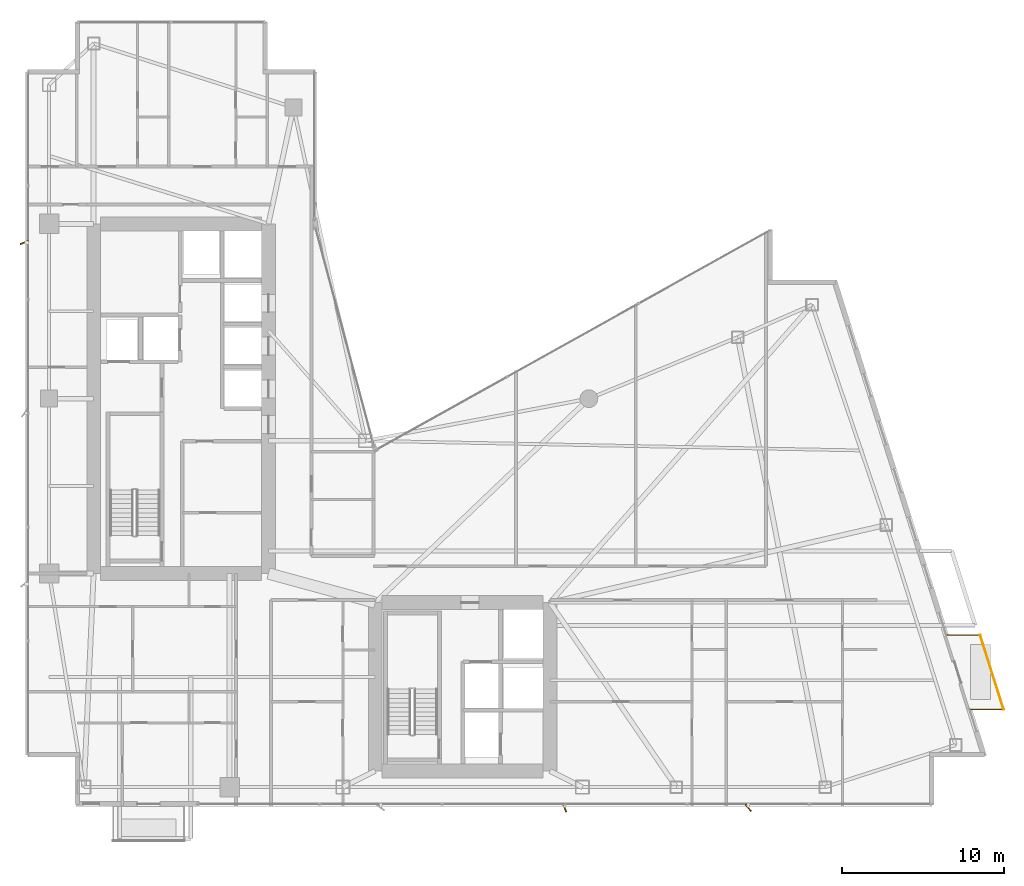
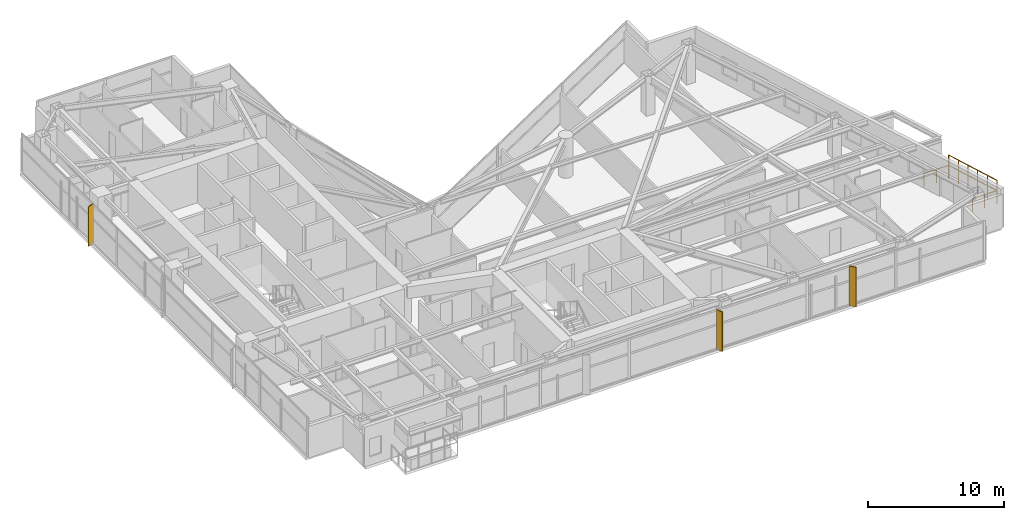
# One storey, part 28 of 28: 3 shading devices, 2 railings.
"""IFC4 building model written with IfcOpenShell, lengths in metres."""

from ifc_helpers import new_model, si_unit, direction, frame, origin, origin_2d, place, context, subcontext, project, spatial, rectangle, circle, extrude, material, type_object, element, save


model = new_model("IFC4")

# Units and contexts
model_context = context("Model", 3, precision=1e-05, world=origin(), true_north=direction((0.0, 1.0)))
body_context = subcontext(model_context, "Body", "Model", "MODEL_VIEW")
ifc_project = project(units=[si_unit("LENGTHUNIT", "METRE"), si_unit("AREAUNIT", "SQUARE_METRE"), si_unit("VOLUMEUNIT", "CUBIC_METRE"), si_unit("PLANEANGLEUNIT", "RADIAN"), si_unit("MASSUNIT", "GRAM", prefix="KILO")], contexts=[model_context])

# Site, building, storey
site_placement = place(None, origin())
site = spatial("IfcSite", under=ifc_project, at=site_placement, CompositionType="ELEMENT")
building_placement = place(site_placement, origin())
building = spatial("IfcBuilding", under=site, at=building_placement, Name="Calvorn Quay Hotel", CompositionType="ELEMENT")
storey_placement = place(building_placement, frame((0.0, 0.0, 101.199951171875)))
storey = spatial("IfcBuildingStorey", under=building, at=storey_placement, Name="L24", CompositionType="ELEMENT", Elevation=101.199951171875)

# Railings
ifc_material_1 = material(Name="Pale Anodised Aluminium and Laminated Glass", Category="aluminium")
railing_type = type_object("IfcRailingType", Name="RLG-BALUSTRADE-1200", PredefinedType="BALUSTRADE", material=ifc_material_1)
railing_1_placement = place(storey_placement, frame((58.327880859375, 8.39990234375, 0.0)))
element("IfcRailing", 1, at=railing_1_placement, inside=storey, type_object=railing_type, Name="Tree Balcony Perimeter Balustrade L24-BALC-E", PredefinedType="BALUSTRADE", context=body_context, shape_type="SweptSolid", body=[
    extrude(circle(Radius=0.02392578125, at=origin_2d()), frame((0.0, 0.0, 1.17578125), z_axis=(1.0, 0.0, 0.0), x_axis=(0.0, 1.0, 0.0)), (0.0, 0.0, 1.0), 2.10009765625),
    extrude(circle(Radius=0.02392578125, at=origin_2d()), frame((2.10009765625, 0.0, 1.17578125), z_axis=(-0.300620172346, 0.953743944662, 0.0), x_axis=(-0.953743944662, -0.300620172346, 0.0)), (0.0, 0.0, 1.0), 4.8232421875),
    extrude(circle(Radius=0.02392578125, at=origin_2d()), frame((0.650146484375, 4.60009765625, 1.17578125), z_axis=(-1.0, 0.0, 0.0), x_axis=(0.0, -1.0, 0.0)), (0.0, 0.0, 1.0), 2.10009765625),
    extrude(circle(Radius=0.02099609375, at=origin_2d()), origin(), (0.0, 0.0, 1.0), 1.15185546875),
    extrude(circle(Radius=0.02099609375, at=origin_2d()), frame((1.050048828125, 0.0, 0.0)), (0.0, 0.0, 1.0), 1.15185546875),
    extrude(circle(Radius=0.02099609375, at=origin_2d()), frame((2.10009765625, 0.0, 0.0)), (0.0, 0.0, 1.0), 1.15185546875),
    extrude(circle(Radius=0.02099609375, at=origin_2d()), frame((1.81005859375, 0.919921875, 0.0)), (0.0, 0.0, 1.0), 1.15185546875),
    extrude(circle(Radius=0.02099609375, at=origin_2d()), frame((1.52001953125, 1.840087890625, 0.0)), (0.0, 0.0, 1.0), 1.15185546875),
    extrude(circle(Radius=0.02099609375, at=origin_2d()), frame((1.230224609375, 2.760009765625, 0.0)), (0.0, 0.0, 1.0), 1.15185546875),
    extrude(circle(Radius=0.02099609375, at=origin_2d()), frame((0.940185546875, 3.68017578125, 0.0)), (0.0, 0.0, 1.0), 1.15185546875),
    extrude(circle(Radius=0.02099609375, at=origin_2d()), frame((0.650146484375, 4.60009765625, 0.0)), (0.0, 0.0, 1.0), 1.15185546875),
    extrude(circle(Radius=0.02099609375, at=origin_2d()), frame((-0.39990234375, 4.60009765625, 0.0)), (0.0, 0.0, 1.0), 1.15185546875),
    extrude(circle(Radius=0.02099609375, at=origin_2d()), frame((-1.449951171875, 4.60009765625, 0.0)), (0.0, 0.0, 1.0), 1.15185546875),
])
railing_2_placement = place(storey_placement, frame((60.427978515625, 8.39990234375, 0.900146484375)))
element("IfcRailing", 2, at=railing_2_placement, inside=storey, type_object=railing_type, Name="Planter Kerb High Safety Screen L24-BALC-E", PredefinedType="BALUSTRADE", context=body_context, shape_type="SweptSolid", body=[
    extrude(circle(Radius=0.02392578125, at=origin_2d()), frame((0.0, 0.0, 1.19580078125), z_axis=(-0.300620172346, 0.953743944662, 0.0), x_axis=(-0.953743944662, -0.300620172346, 0.0)), (0.0, 0.0, 1.0), 4.8232421875),
    extrude(circle(Radius=0.02099609375, at=origin_2d()), origin(), (0.0, 0.0, 1.0), 1.171875),
    extrude(circle(Radius=0.02099609375, at=origin_2d()), frame((-0.2900390625, 0.919921875, 0.0)), (0.0, 0.0, 1.0), 1.171875),
    extrude(circle(Radius=0.02099609375, at=origin_2d()), frame((-0.580078125, 1.840087890625, 0.0)), (0.0, 0.0, 1.0), 1.171875),
    extrude(circle(Radius=0.02099609375, at=origin_2d()), frame((-0.869873046875, 2.760009765625, 0.0)), (0.0, 0.0, 1.0), 1.171875),
    extrude(circle(Radius=0.02099609375, at=origin_2d()), frame((-1.159912109375, 3.68017578125, 0.0)), (0.0, 0.0, 1.0), 1.171875),
    extrude(circle(Radius=0.02099609375, at=origin_2d()), frame((-1.449951171875, 4.60009765625, 0.0)), (0.0, 0.0, 1.0), 1.171875),
])

# Shading devices
ifc_material_2 = material(Name="Champagne Bronze Anodised Aluminium 6063-T6", Category="aluminium")
shading_device_type_1 = type_object("IfcShadingDeviceType", Name="SHD-FIN-A1", PredefinedType="USERDEFINED", material=ifc_material_2)
for number, where, z_axis, x_axis, name in (
    (3, (-0.080078125, 37.25, 0.0), (0.0, 0.0, 1.0), (0.927183854567, 0.374606593416, 0.0), "Diagonal Sun-Shading Fin L24-W03"),
    (4, (33.300048828125, 2.320068359375, 0.0), (0.0, 0.0, 1.0), (-0.374606593416, 0.927183854567, 0.0), "Diagonal Sun-Shading Fin L24-S02"),
):
    element("IfcShadingDevice", number, at=place(storey_placement, frame(where, z_axis=z_axis, x_axis=x_axis)), inside=storey, type_object=shading_device_type_1, Name=name, ObjectType="FIN", PredefinedType="USERDEFINED", context=body_context, shape_type="SweptSolid", body=[
        extrude(rectangle(XDim=0.550048828125, YDim=0.080078125, at=origin_2d()), origin(), (0.0, 0.0, 1.0), 3.56005859375),
    ])
ifc_material_3 = material(Name="Champagne Bronze Anodised Aluminium 6063-T6", Category="aluminium")
shading_device_type_2 = type_object("IfcShadingDeviceType", Name="SHD-FIN-A2", PredefinedType="USERDEFINED", material=ifc_material_3)
shading_device_placement = place(storey_placement, frame((44.64990234375, 2.320068359375, 0.0), z_axis=(0.0, 0.0, 1.0), x_axis=(-0.615661475326, 0.788010753607, 0.0)))
element("IfcShadingDevice", 5, at=shading_device_placement, inside=storey, type_object=shading_device_type_2, Name="Diagonal Sun-Shading Fin L24-S03", ObjectType="FIN", PredefinedType="USERDEFINED", context=body_context, shape_type="SweptSolid", body=[
    extrude(rectangle(XDim=0.550048828125, YDim=0.080078125, at=origin_2d()), origin(), (0.0, 0.0, 1.0), 3.56005859375),
])

save(model, "model.ifc")
